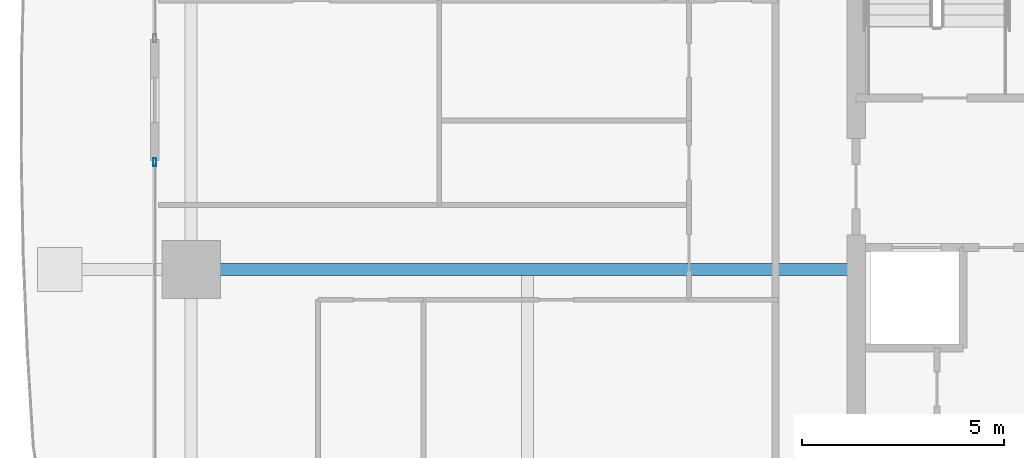
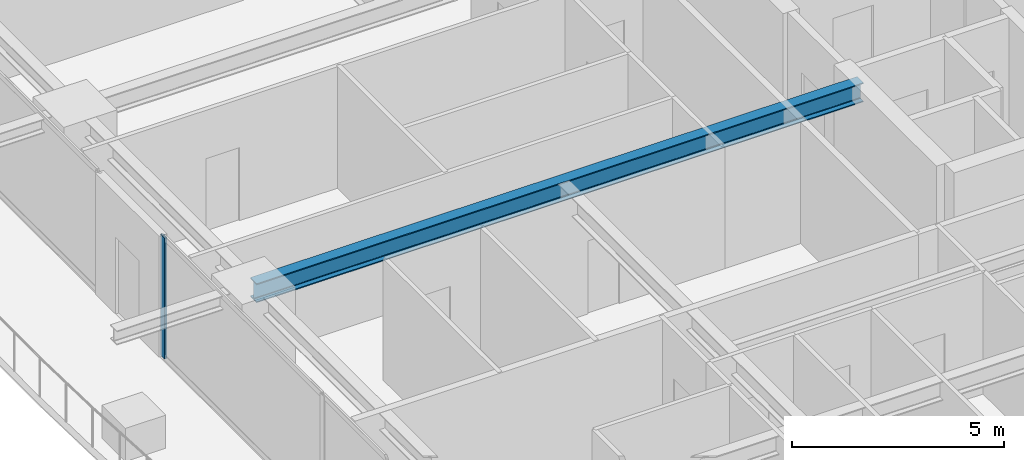
# One storey, part 7 of 36: 1 beam, 1 member, 1 element without a shape of its own.
"""IFC4 building model written with IfcOpenShell, lengths in metres."""

import ifcopenshell
import ifcopenshell.guid

model = None  # the IFC model being written
_history = None  # IfcOwnerHistory: only IFC2X3 demands one
_inside = {}  # id of a spatial element -> (the spatial element, [elements in it])
_under = {}  # id of a project, library or spatial element -> (it, [spatial elements below it])
_declared = {}  # id of a project -> (the project, [libraries it declares])
_typed = {}  # id of a type object -> (the type object, [elements of that type])
_made_of = {}  # id of a material, layer set ... -> (it, [elements and type objects made of it])


def new_model(schema):
    """Start an empty IFC model of exactly this schema.

    Asked for "IFC4X3", IfcOpenShell would pick the latest addendum, in which some entities
    have other attributes; the version numbers below select the first issue.
    IFC2X3 requires an IfcOwnerHistory on every rooted entity: one is made here for all.
    """
    global model, _history
    if schema == "IFC4X3":
        model = ifcopenshell.file(schema_version=(4, 3, 0, 0))
    else:
        model = ifcopenshell.file(schema=schema)
    _inside.clear()
    _under.clear()
    _declared.clear()
    _typed.clear()
    _made_of.clear()
    _history = None
    if model.schema == "IFC2X3":
        org = make("IfcOrganization", Name="unknown")
        user = make(
            "IfcPersonAndOrganization",
            ThePerson=make("IfcPerson", FamilyName="unknown"),
            TheOrganization=org,
        )
        app = make(
            "IfcApplication",
            ApplicationDeveloper=org,
            Version="unknown",
            ApplicationFullName="unknown",
            ApplicationIdentifier="unknown",
        )
        _history = make(
            "IfcOwnerHistory",
            OwningUser=user,
            OwningApplication=app,
            ChangeAction="ADDED",
            CreationDate=0,
        )
    return model


def make(cls, **values):
    """One entity of the class cls with the attributes given. An attribute that is None is left unset."""
    return model.create_entity(
        cls, **{name: value for name, value in values.items() if value is not None}
    )


def rooted(cls, **values):
    """An entity with a GlobalId (a new one), such as an element, a storey or a relation."""
    return make(cls, GlobalId=ifcopenshell.guid.new(), OwnerHistory=_history, **values)


def si_unit(unit_type, name, prefix=None):
    """IfcSIUnit, for example si_unit("LENGTHUNIT", "METRE", prefix="MILLI")."""
    return make("IfcSIUnit", UnitType=unit_type, Prefix=prefix, Name=name)


def assignment(units):
    """IfcUnitAssignment: the units of a project."""
    return None if units is None else make("IfcUnitAssignment", Units=units)


def point(xyz):
    """IfcCartesianPoint."""
    return None if xyz is None else make("IfcCartesianPoint", Coordinates=xyz)


def direction(xyz):
    """IfcDirection."""
    return None if xyz is None else make("IfcDirection", DirectionRatios=xyz)


def frame(location, z_axis=None, x_axis=None):
    """IfcAxis2Placement3D, a coordinate frame: its origin and axes. An axis left out is left unset."""
    return make(
        "IfcAxis2Placement3D",
        Location=point(location),
        Axis=direction(z_axis),
        RefDirection=direction(x_axis),
    )


def frame_2d(location, x_axis=None):
    """IfcAxis2Placement2D, a coordinate frame in the plane: its origin and x axis."""
    return make(
        "IfcAxis2Placement2D", Location=point(location), RefDirection=direction(x_axis)
    )


def origin():
    """The frame at (0, 0, 0) with its axes left unset."""
    return frame((0.0, 0.0, 0.0))


def origin_2d():
    """The frame at (0, 0) in the plane with its x axis left unset."""
    return frame_2d((0.0, 0.0))


def place(relative_to, where):
    """IfcLocalPlacement: puts the frame where relative to a parent placement (None: the world)."""
    return make(
        "IfcLocalPlacement", PlacementRelTo=relative_to, RelativePlacement=where
    )


def context(
    kind, dimensions, precision=None, world=None, true_north=None, identifier=None
):
    """IfcGeometricRepresentationContext, for example the 3D "Model" context."""
    return make(
        "IfcGeometricRepresentationContext",
        ContextIdentifier=identifier,
        ContextType=kind,
        CoordinateSpaceDimension=dimensions,
        Precision=precision,
        WorldCoordinateSystem=world,
        TrueNorth=true_north,
    )


def subcontext(parent, identifier, kind, view, scale=None):
    """IfcGeometricRepresentationSubContext, for example "Body" below "Model"."""
    return make(
        "IfcGeometricRepresentationSubContext",
        ContextIdentifier=identifier,
        ContextType=kind,
        ParentContext=parent,
        TargetScale=scale,
        TargetView=view,
    )


def project(units=None, contexts=None):
    """IfcProject with its units and contexts."""
    return rooted(
        "IfcProject",
        Name="project",
        RepresentationContexts=contexts,
        UnitsInContext=assignment(units),
    )


def spatial(cls, under=None, at=None, **own):
    """A site, building, storey or space (cls), placed at a placement, below another one or the project."""
    s = rooted(cls, ObjectPlacement=at, **own)
    if under is not None:
        _under.setdefault(under.id(), (under, []))[1].append(s)
    return s


def profile(cls, at=None, kind="AREA", **sizes):
    """A parametric profile (cls). Its sizes go by their IFC names, for example OverallWidth=200.0."""
    return make(cls, ProfileType=kind, Position=at, **sizes)


def hollow_rectangle(**sizes):
    """IfcRectangleHollowProfileDef."""
    return profile("IfcRectangleHollowProfileDef", **sizes)


def i_section(**sizes):
    """IfcIShapeProfileDef."""
    return profile("IfcIShapeProfileDef", **sizes)


def extrude(swept, where, along, depth):
    """IfcExtrudedAreaSolid: the profile swept, set in the frame where, extruded along a direction by depth."""
    return make(
        "IfcExtrudedAreaSolid",
        SweptArea=swept,
        Position=where,
        ExtrudedDirection=direction(along),
        Depth=depth,
    )


def shape(context_of_items, identifier, shape_type, items):
    """IfcShapeRepresentation: the items that make up one representation, for example the "Body"."""
    return make(
        "IfcShapeRepresentation",
        ContextOfItems=context_of_items,
        RepresentationIdentifier=identifier,
        RepresentationType=shape_type,
        Items=items,
    )


def source(mapping_origin, context_of_items, identifier, shape_type, items):
    """IfcRepresentationMap: a shape defined once, which mapped items show again and again."""
    return make(
        "IfcRepresentationMap",
        MappingOrigin=mapping_origin,
        MappedRepresentation=shape(context_of_items, identifier, shape_type, items),
    )


def transform(
    local_origin,
    x_axis=None,
    y_axis=None,
    z_axis=None,
    scale=None,
    scale2=None,
    scale3=None,
    uniform=True,
):
    """IfcCartesianTransformationOperator3D, or its non-uniform kind. x_axis, y_axis, z_axis: its Axis1, 2, 3."""
    if uniform:
        return make(
            "IfcCartesianTransformationOperator3D",
            Axis1=direction(x_axis),
            Axis2=direction(y_axis),
            LocalOrigin=point(local_origin),
            Scale=scale,
            Axis3=direction(z_axis),
        )
    return make(
        "IfcCartesianTransformationOperator3DnonUniform",
        Axis1=direction(x_axis),
        Axis2=direction(y_axis),
        LocalOrigin=point(local_origin),
        Scale=scale,
        Axis3=direction(z_axis),
        Scale2=scale2,
        Scale3=scale3,
    )


def mapped(mapping_source, mapping_target):
    """IfcMappedItem: shows the shape of a source again, moved by a transform."""
    return make(
        "IfcMappedItem", MappingSource=mapping_source, MappingTarget=mapping_target
    )


def material(Name=None, Category=None):
    """IfcMaterial."""
    return make("IfcMaterial", Name=Name, Category=Category)


def layer(
    of_material, thickness, ventilated=None, Name=None, Category=None, Priority=None
):
    """IfcMaterialLayer: one layer of a wall or slab, of a material (None: an air gap)."""
    return make(
        "IfcMaterialLayer",
        Material=of_material,
        LayerThickness=thickness,
        IsVentilated=ventilated,
        Name=Name,
        Category=Category,
        Priority=Priority,
    )


def layer_set(layers, Name=None):
    """IfcMaterialLayerSet."""
    return make("IfcMaterialLayerSet", MaterialLayers=layers, LayerSetName=Name)


def material_profile(
    of_material, cross_section, Name=None, Category=None, Priority=None
):
    """IfcMaterialProfile: a cross section and its material."""
    return make(
        "IfcMaterialProfile",
        Name=Name,
        Material=of_material,
        Profile=cross_section,
        Priority=Priority,
        Category=Category,
    )


def profile_set(profiles, Name=None, composite=None):
    """IfcMaterialProfileSet."""
    return make(
        "IfcMaterialProfileSet",
        Name=Name,
        MaterialProfiles=profiles,
        CompositeProfile=composite,
    )


def made_of(thing, what):
    """Note that an element or type object is made of a material, layer set ...; save() writes the relation."""
    if what is not None:
        _made_of.setdefault(what.id(), (what, []))[1].append(thing)
    return thing


def type_object(cls, material=None, **own):
    """A type object (cls), such as IfcWallType, which elements share."""
    return made_of(rooted(cls, **own), material)


def element(
    cls,
    number,
    at=None,
    inside=None,
    cuts=None,
    type_object=None,
    material=None,
    context=None,
    identifier="Body",
    shape_type=None,
    held_by="IfcProductDefinitionShape",
    body=None,
    shapes=None,
    **own,
):
    """One element of the class cls, such as IfcWall. Its Tag is "e" and its number.

    at: its placement. inside: the storey or other place that contains it. cuts: it is an
    opening in that element (IfcRelVoidsElement). A single representation is given by context,
    identifier, shape_type and body (its items); several are given by shapes. held_by: the class
    of the entity that holds the representations. save() writes the other relations.
    """
    e = rooted(cls, Tag="e%d" % number, ObjectPlacement=at, **own)
    if body is not None:
        shapes = [shape(context, identifier, shape_type, body)]
    if shapes is not None:
        e.Representation = make(held_by, Representations=shapes)
    if inside is not None:
        _inside.setdefault(inside.id(), (inside, []))[1].append(e)
    if cuts is not None:
        rooted(
            "IfcRelVoidsElement", RelatingBuildingElement=cuts, RelatedOpeningElement=e
        )
    if type_object is not None:
        _typed.setdefault(type_object.id(), (type_object, []))[1].append(e)
    return made_of(e, material)


def aggregate(whole, parts):
    """IfcRelAggregates: a whole, such as a stair, and the parts it consists of."""
    return rooted("IfcRelAggregates", RelatingObject=whole, RelatedObjects=parts)


def save(model, path):
    """Write the relations noted so far, then the file.

    IfcRelAggregates (storeys below a building ...), IfcRelContainedInSpatialStructure (elements
    in a storey), IfcRelDefinesByType, IfcRelAssociatesMaterial and IfcRelDeclares: one each for
    every whole, place, type object, material and project.
    """
    for whole, parts in _under.values():
        aggregate(whole, parts)
    for where, things in _inside.values():
        rooted(
            "IfcRelContainedInSpatialStructure",
            RelatedElements=things,
            RelatingStructure=where,
        )
    for kind, things in _typed.values():
        rooted("IfcRelDefinesByType", RelatedObjects=things, RelatingType=kind)
    for what, things in _made_of.values():
        rooted("IfcRelAssociatesMaterial", RelatedObjects=things, RelatingMaterial=what)
    for by, libraries in _declared.values():
        rooted("IfcRelDeclares", RelatingContext=by, RelatedDefinitions=libraries)
    model.write(path)


model = new_model("IFC4")

# Units and contexts
model_context = context("Model", 3, precision=1e-05, world=origin(), true_north=direction((0.0, 1.0)))
body_context = subcontext(model_context, "Body", "Model", "MODEL_VIEW")
ifc_project = project(units=[si_unit("LENGTHUNIT", "METRE"), si_unit("AREAUNIT", "SQUARE_METRE"), si_unit("VOLUMEUNIT", "CUBIC_METRE"), si_unit("PLANEANGLEUNIT", "RADIAN"), si_unit("MASSUNIT", "GRAM", prefix="KILO")], contexts=[model_context])

# Site, building, storey
site_placement = place(None, origin())
site = spatial("IfcSite", under=ifc_project, at=site_placement, CompositionType="ELEMENT")
building_placement = place(site_placement, origin())
building = spatial("IfcBuilding", under=site, at=building_placement, Name="Serunith Strait Residences", CompositionType="ELEMENT")
storey_placement = place(building_placement, frame((0.0, 0.0, 41.699951171875)))
storey = spatial("IfcBuildingStorey", under=building, at=storey_placement, Name="L09", CompositionType="ELEMENT", Elevation=41.699951171875)

# Beam
ifc_material_1 = material(Name="Steel S355J2", Category="steel")
ifc_material_profile_1 = material_profile(ifc_material_1, i_section(OverallWidth=0.300048828125, OverallDepth=0.550048828125, WebThickness=0.014892578125, FlangeThickness=0.029052734375, FilletRadius=0.027099609375, at=origin_2d()), Name="HEB 550")
ifc_profile_set_1 = profile_set([ifc_material_profile_1], Name="Steel S355J2")
beam_type = type_object("IfcBeamType", Name="BM-HEB550", PredefinedType="BEAM", material=ifc_profile_set_1)
shared_shape_1 = source(origin(), body_context, "Body", "SweptSolid", [
    extrude(i_section(OverallWidth=0.300048828125, OverallDepth=0.550048828125, WebThickness=0.014892578125, FlangeThickness=0.029052734375, FilletRadius=0.027099609375, at=origin_2d()), origin(), (0.0, 0.0, 1.0), 16.5),
])
beam_placement = place(storey_placement, frame((23.39990234375, 21.0, 3.212158203125), z_axis=(-1.0, 0.0, 0.0), x_axis=(0.0, -1.0, 0.0)))
element("IfcBeam", 1, at=beam_placement, inside=storey, type_object=beam_type, Name="L09 Primary Floor Girder TC-W2", PredefinedType="BEAM", context=body_context, shape_type="MappedRepresentation", body=[
    mapped(shared_shape_1, transform((0.0, 0.0, 0.0), scale=1.0)),
])

# Curtain wall, member
ifc_material_2 = material(Name="Pale-Champagne Anodised Aluminium", Category="aluminium")
ifc_layer = layer(ifc_material_2, 0.199951171875, Name="Pale-Champagne Anodised Aluminium")
ifc_layer_set = layer_set([ifc_layer], Name="Pale-Champagne Anodised Aluminium")
curtain_wall_type = type_object("IfcCurtainWallType", Name="CW-SYS1", PredefinedType="NOTDEFINED", material=ifc_layer_set)
curtain_wall_placement = place(storey_placement, origin())
curtain_wall = element("IfcCurtainWall", 2, at=curtain_wall_placement, inside=storey, type_object=curtain_wall_type, Name="L09 W Unitised Fritted Curtain Wall", PredefinedType="NOTDEFINED")
ifc_material_profile_2 = material_profile(ifc_material_2, hollow_rectangle(XDim=0.070068359375, YDim=0.199951171875, WallThickness=0.00390625, InnerFilletRadius=0.006103515625, OuterFilletRadius=0.010009765625, at=origin_2d()), Name="ALU 200x70x4")
ifc_profile_set_2 = profile_set([ifc_material_profile_2], Name="Pale-Champagne Anodised Aluminium")
member_type = type_object("IfcMemberType", Name="CW-SYS1-MULL", PredefinedType="MULLION", material=ifc_profile_set_2)
shared_shape_2 = source(origin(), body_context, "Body", "SweptSolid", [
    extrude(hollow_rectangle(XDim=0.070068359375, YDim=0.199951171875, WallThickness=0.00390625, InnerFilletRadius=0.006103515625, OuterFilletRadius=0.010009765625, at=origin_2d()), origin(), (0.0, 0.0, 1.0), 3.47509765625),
])
member_placement = place(storey_placement, frame((6.0, 23.6650390625, 0.0), z_axis=(0.0, 0.0, 1.0), x_axis=(1.0, 0.0, 0.0)))
member = element("IfcMember", 3, at=member_placement, type_object=member_type, Name="CW-1 mullion 1", PredefinedType="MULLION", context=body_context, shape_type="MappedRepresentation", body=[
    mapped(shared_shape_2, transform((0.0, 0.0, 0.0), scale=1.0)),
])
aggregate(curtain_wall, [member])

save(model, "model.ifc")
